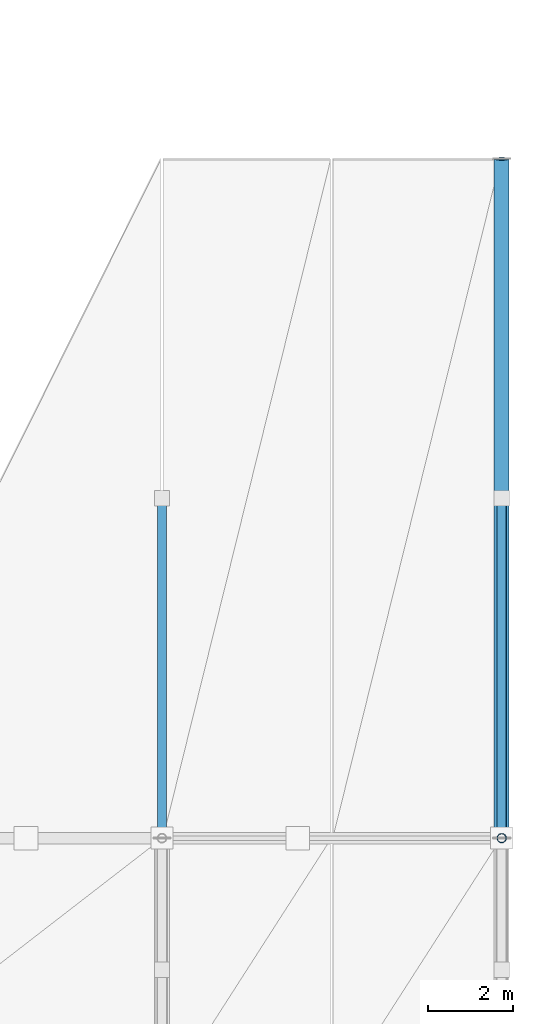
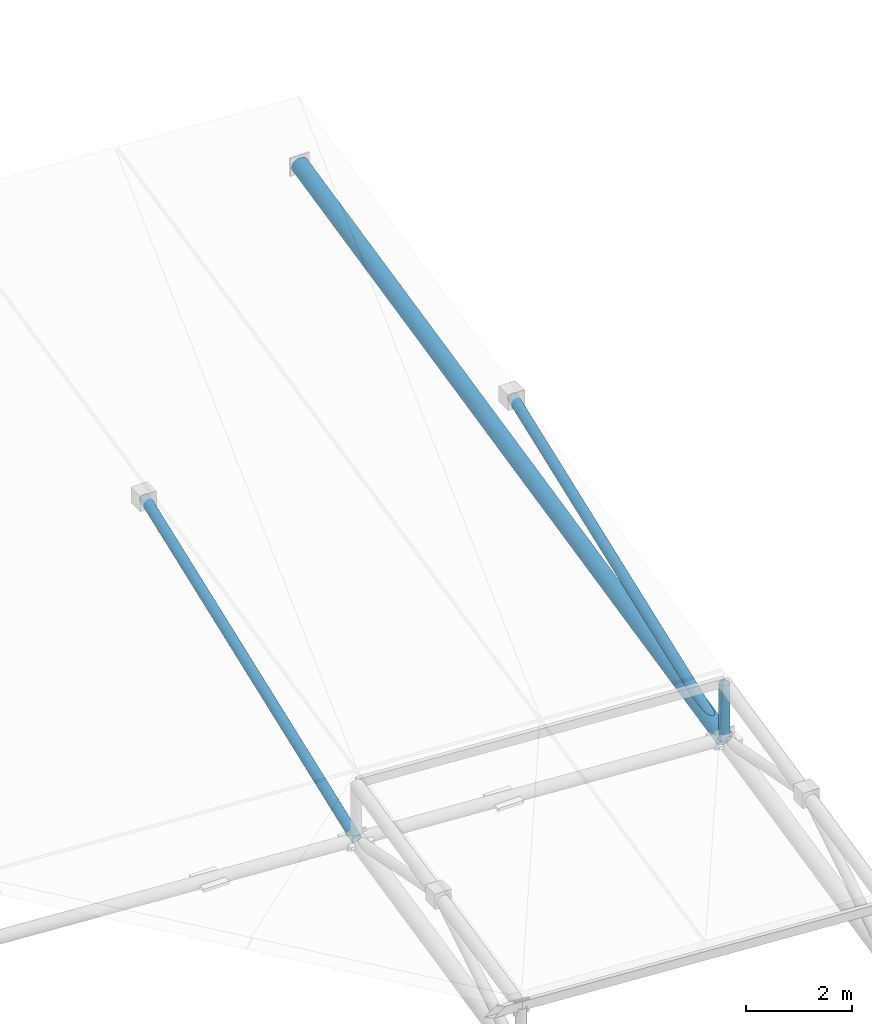
# One storey, part 39 of 83: 3 members, 1 beam.
"""IFC4 building model written with IfcOpenShell, lengths in metres."""

from ifc_helpers import new_model, si_unit, direction, frame, origin, origin_2d, place, context, subcontext, project, spatial, hollow_circle, extrude, material, material_profile, profile_set, type_object, element, save


model = new_model("IFC4")

# Units and contexts
model_context = context("Model", 3, precision=1e-05, world=origin(), true_north=direction((0.0, 1.0)))
body_context = subcontext(model_context, "Body", "Model", "MODEL_VIEW")
ifc_project = project(units=[si_unit("LENGTHUNIT", "METRE"), si_unit("AREAUNIT", "SQUARE_METRE"), si_unit("VOLUMEUNIT", "CUBIC_METRE"), si_unit("PLANEANGLEUNIT", "RADIAN"), si_unit("MASSUNIT", "GRAM", prefix="KILO")], contexts=[model_context])

# Site, building, storey
site_placement = place(None, origin())
site = spatial("IfcSite", under=ifc_project, at=site_placement, CompositionType="ELEMENT")
building_placement = place(site_placement, origin())
building = spatial("IfcBuilding", under=site, at=building_placement, Name="Drelvath Fold Interchange", CompositionType="ELEMENT")
storey_placement = place(building_placement, frame((0.0, 0.0, 11.199951171875)))
storey = spatial("IfcBuildingStorey", under=building, at=storey_placement, Name="L02", CompositionType="ELEMENT", Elevation=11.199951171875)

# Beam
ifc_material = material(Name="Steel ASTM A500 Grade C", Category="steel")
ifc_material_profile_1 = material_profile(ifc_material, hollow_circle(Radius=0.177978515625, WallThickness=0.01171875, at=origin_2d()), Name="HSS14.000X0.500")
ifc_profile_set_1 = profile_set([ifc_material_profile_1], Name="Steel ASTM A500 Grade C")
beam_type = type_object("IfcBeamType", Name="SF-RIB356", PredefinedType="BEAM", material=ifc_profile_set_1)
beam_placement = place(storey_placement, frame((174.0, 27.0, 2.1689453125), z_axis=(0.0, 0.977052272987, 0.212999661624), x_axis=(-1.0, 0.0, 0.0)))
element("IfcBeam", 1, at=beam_placement, inside=storey, type_object=beam_type, Name="Space frame roof truss main rib chord EAST", PredefinedType="BEAM", context=body_context, shape_type="SweptSolid", body=[
    extrude(hollow_circle(Radius=0.177978515625, WallThickness=0.01171875, at=origin_2d()), origin(), (0.0, 0.0, 1.0), 16.375732421875),
])

# Members
ifc_material_profile_2 = material_profile(ifc_material, hollow_circle(Radius=0.109619140625, WallThickness=0.0087890625, at=origin_2d()), Name="HSS8.625X0.375")
ifc_profile_set_2 = profile_set([ifc_material_profile_2], Name="Steel ASTM A500 Grade C")
member_type = type_object("IfcMemberType", Name="SF-WEB219", PredefinedType="BRACE", material=ifc_profile_set_2)
member_1_placement = place(storey_placement, frame((166.0, 27.0, 2.650146484375), z_axis=(0.0, 0.935792918381, 0.352550158002), x_axis=(-1.0, 0.0, 0.0)))
element("IfcMember", 2, at=member_1_placement, inside=storey, type_object=member_type, Name="L02 Space frame roof truss web brace SF-WEB219", PredefinedType="BRACE", context=body_context, shape_type="SweptSolid", body=[
    extrude(hollow_circle(Radius=0.109619140625, WallThickness=0.0087890625, at=origin_2d()), origin(), (0.0, 0.0, 1.0), 8.548828125),
])
member_2_placement = place(storey_placement, frame((174.0, 27.0, 2.1689453125), z_axis=(0.0, 0.935783496416, 0.352575166222), x_axis=(-1.0, 0.0, 0.0)))
element("IfcMember", 3, at=member_2_placement, inside=storey, type_object=member_type, Name="L02 Space frame roof truss web brace SF-WEB219", PredefinedType="BRACE", context=body_context, shape_type="SweptSolid", body=[
    extrude(hollow_circle(Radius=0.109619140625, WallThickness=0.0087890625, at=origin_2d()), origin(), (0.0, 0.0, 1.0), 8.549072265625),
])
member_3_placement = place(storey_placement, frame((174.0, 27.0, 2.1689453125), z_axis=(0.0, 0.0, 1.0), x_axis=(1.0, 0.0, 0.0)))
element("IfcMember", 4, at=member_3_placement, inside=storey, type_object=member_type, Name="L02 Space frame roof truss web brace SF-WEB219", PredefinedType="BRACE", context=body_context, shape_type="SweptSolid", body=[
    extrude(hollow_circle(Radius=0.109619140625, WallThickness=0.0087890625, at=origin_2d()), origin(), (0.0, 0.0, 1.0), 1.27001953125),
])

save(model, "model.ifc")
